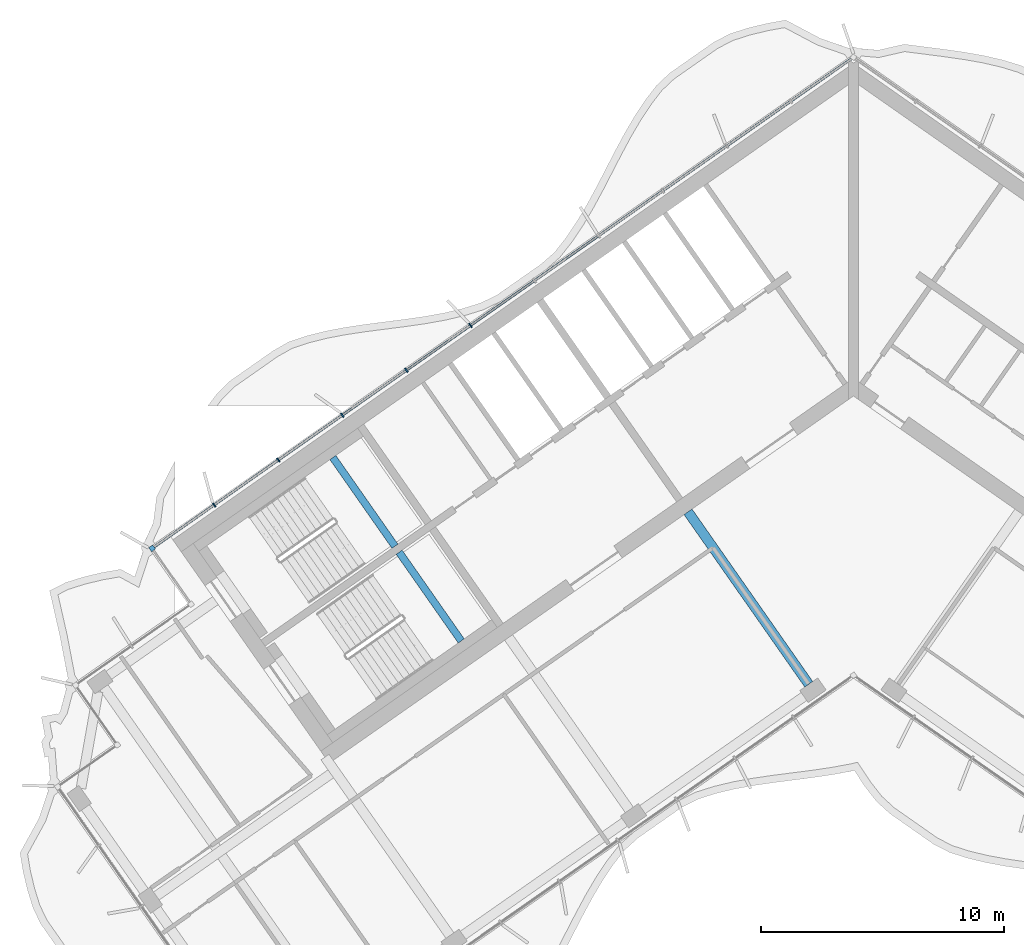
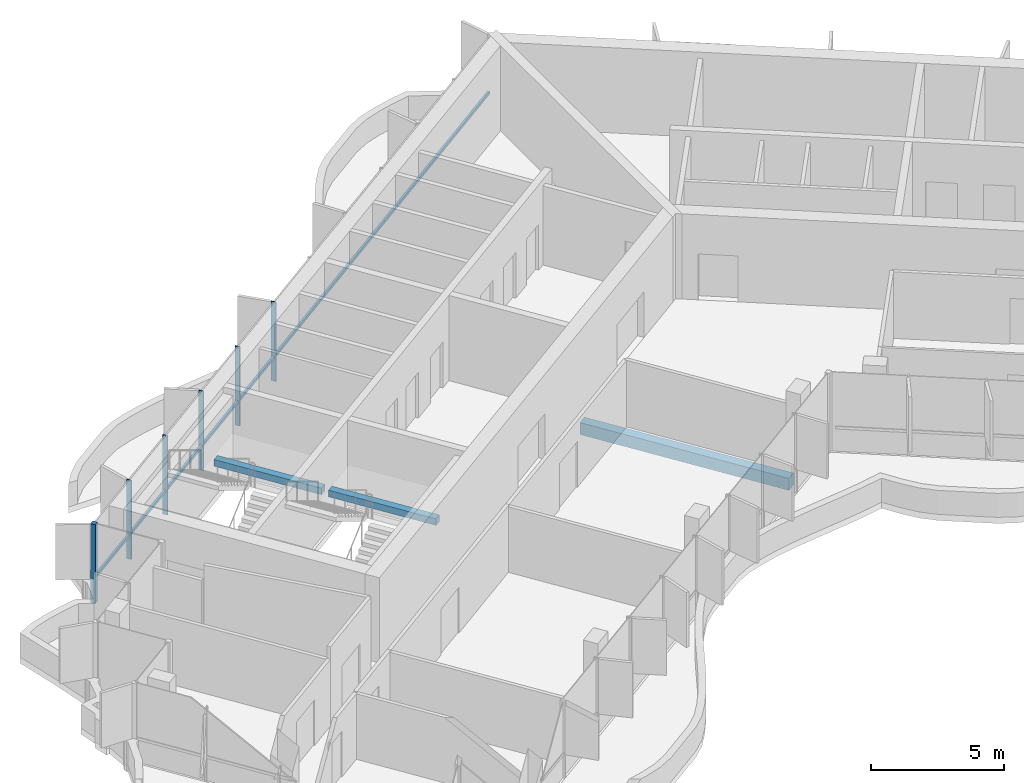
# One storey, part 3 of 18: 7 members, 3 beams, 1 element without a shape of its own.
"""IFC4 building model written with IfcOpenShell, lengths in metres."""

from ifc_helpers import new_model, si_unit, direction, frame, origin, origin_2d, place, context, subcontext, project, spatial, rectangle, extrude, material, material_profile, profile_set, type_object, element, aggregate, save


model = new_model("IFC4")

# Units and contexts
model_context = context("Model", 3, precision=1e-05, world=origin(), true_north=direction((0.0, 1.0)))
body_context = subcontext(model_context, "Body", "Model", "MODEL_VIEW")
ifc_project = project(units=[si_unit("LENGTHUNIT", "METRE"), si_unit("AREAUNIT", "SQUARE_METRE"), si_unit("VOLUMEUNIT", "CUBIC_METRE"), si_unit("PLANEANGLEUNIT", "RADIAN"), si_unit("MASSUNIT", "GRAM", prefix="KILO")], contexts=[model_context])

# Site, building, storey
site_placement = place(None, origin())
site = spatial("IfcSite", under=ifc_project, at=site_placement, CompositionType="ELEMENT")
building_placement = place(site_placement, origin())
building = spatial("IfcBuilding", under=site, at=building_placement, Name="Tel Ilan Convention Tower", CompositionType="ELEMENT")
storey_placement = place(building_placement, frame((0.0, 0.0, 268.300048828125)))
storey = spatial("IfcBuildingStorey", under=building, at=storey_placement, Name="L63", CompositionType="ELEMENT", Elevation=268.300048828125)

# Beam
ifc_material_1 = material(Name="Concrete C40/50", Category="concrete")
ifc_material_profile_1 = material_profile(ifc_material_1, rectangle(XDim=0.39990234375, YDim=0.550048828125, at=origin_2d()), Name="RC 400x550")
ifc_profile_set_1 = profile_set([ifc_material_profile_1], Name="Concrete C40/50")
beam_type_1 = type_object("IfcBeamType", Name="Beam RC 400x550 Concrete C40/50", PredefinedType="BEAM", material=ifc_profile_set_1)
beam_1_placement = place(storey_placement, frame((-1.83740234375, -13.06689453125, -0.554931640625), z_axis=(-0.573574099654, 0.819153680457, 0.0), x_axis=(-0.819153680457, -0.573574099654, 0.0)))
element("IfcBeam", 1, at=beam_1_placement, inside=storey, type_object=beam_type_1, Name="L63 beam W-W-F1-core", PredefinedType="BEAM", context=body_context, shape_type="SweptSolid", body=[
    extrude(rectangle(XDim=0.39990234375, YDim=0.550048828125, at=origin_2d()), origin(), (0.0, 0.0, 1.0), 8.64990234375),
])

# Curtain wall, members
ifc_material_2 = material(Name="Aluminium, bronze anodised", Category="aluminium")
curtain_wall_type = type_object("IfcCurtainWallType", Name="CW2 STICK CURTAIN WALL, SPANDREL PANELS", PredefinedType="NOTDEFINED", material=ifc_material_2)
curtain_wall_placement = place(storey_placement, origin())
curtain_wall = element("IfcCurtainWall", 2, at=curtain_wall_placement, inside=storey, type_object=curtain_wall_type, Name="Curtain wall CW2-48.01", PredefinedType="NOTDEFINED")
ifc_material_3 = material(Name="Aluminium, bronze anodised", Category="aluminium")
ifc_material_profile_2 = material_profile(ifc_material_3, rectangle(XDim=0.199951171875, YDim=0.199951171875, at=origin_2d()), Name="CW CORNER MULLION 200x200")
ifc_profile_set_2 = profile_set([ifc_material_profile_2], Name="Aluminium, bronze anodised")
member_type_1 = type_object("IfcMemberType", Name="CW CORNER MULLION 200x200", PredefinedType="MULLION", material=ifc_profile_set_2)
member_1_placement = place(storey_placement, frame((-28.819580078125, -7.483642578125, 0.0), z_axis=(0.0, 0.0, 1.0), x_axis=(-0.819152044289, -0.573576436351, 0.0)))
member_1 = element("IfcMember", 3, at=member_1_placement, type_object=member_type_1, Name="Corner mullion", PredefinedType="MULLION", context=body_context, shape_type="SweptSolid", body=[
    extrude(rectangle(XDim=0.199951171875, YDim=0.199951171875, at=origin_2d()), origin(), (0.0, 0.0, 1.0), 3.619873046875),
])
ifc_material_4 = material(Name="Aluminium, bronze anodised", Category="aluminium")
ifc_material_profile_3 = material_profile(ifc_material_4, rectangle(XDim=0.06005859375, YDim=0.199951171875, at=origin_2d()), Name="CW MULLION 60x200")
ifc_profile_set_3 = profile_set([ifc_material_profile_3], Name="Aluminium, bronze anodised")
member_type_2 = type_object("IfcMemberType", Name="CW MULLION 60x200", PredefinedType="MULLION", material=ifc_profile_set_3)
member_2_placement = place(storey_placement, frame((-15.73828125, 1.676025390625, 0.0), z_axis=(0.0, 0.0, 1.0), x_axis=(-0.819152044289, -0.573576436351, 0.0)))
member_2 = element("IfcMember", 4, at=member_2_placement, type_object=member_type_2, Name="Mullion", PredefinedType="MULLION", context=body_context, shape_type="SweptSolid", body=[
    extrude(rectangle(XDim=0.06005859375, YDim=0.199951171875, at=origin_2d()), origin(), (0.0, 0.0, 1.0), 3.619873046875),
])
member_3_placement = place(storey_placement, frame((-18.37109375, -0.16748046875, 0.0), z_axis=(0.0, 0.0, 1.0), x_axis=(-0.819152044289, -0.573576436351, 0.0)))
member_3 = element("IfcMember", 5, at=member_3_placement, type_object=member_type_2, Name="Mullion", PredefinedType="MULLION", context=body_context, shape_type="SweptSolid", body=[
    extrude(rectangle(XDim=0.06005859375, YDim=0.199951171875, at=origin_2d()), origin(), (0.0, 0.0, 1.0), 3.619873046875),
])
member_4_placement = place(storey_placement, frame((-21.003662109375, -2.0107421875, 0.0), z_axis=(0.0, 0.0, 1.0), x_axis=(-0.819152044289, -0.573576436351, 0.0)))
member_4 = element("IfcMember", 6, at=member_4_placement, type_object=member_type_2, Name="Mullion", PredefinedType="MULLION", context=body_context, shape_type="SweptSolid", body=[
    extrude(rectangle(XDim=0.06005859375, YDim=0.199951171875, at=origin_2d()), origin(), (0.0, 0.0, 1.0), 3.619873046875),
])
member_5_placement = place(storey_placement, frame((-23.63623046875, -3.854248046875, 0.0), z_axis=(0.0, 0.0, 1.0), x_axis=(-0.819152044289, -0.573576436351, 0.0)))
member_5 = element("IfcMember", 7, at=member_5_placement, type_object=member_type_2, Name="Mullion", PredefinedType="MULLION", context=body_context, shape_type="SweptSolid", body=[
    extrude(rectangle(XDim=0.06005859375, YDim=0.199951171875, at=origin_2d()), origin(), (0.0, 0.0, 1.0), 3.619873046875),
])
member_6_placement = place(storey_placement, frame((-26.268798828125, -5.697509765625, 0.0), z_axis=(0.0, 0.0, 1.0), x_axis=(-0.819152044289, -0.573576436351, 0.0)))
member_6 = element("IfcMember", 8, at=member_6_placement, type_object=member_type_2, Name="Mullion", PredefinedType="MULLION", context=body_context, shape_type="SweptSolid", body=[
    extrude(rectangle(XDim=0.06005859375, YDim=0.199951171875, at=origin_2d()), origin(), (0.0, 0.0, 1.0), 3.619873046875),
])
ifc_material_5 = material(Name="Aluminium, bronze anodised", Category="aluminium")
ifc_material_profile_4 = material_profile(ifc_material_5, rectangle(XDim=0.10009765625, YDim=0.1201171875, at=origin_2d()), Name="CW TRANSOM 100x120")
ifc_profile_set_4 = profile_set([ifc_material_profile_4], Name="Aluminium, bronze anodised")
member_type_3 = type_object("IfcMemberType", Name="CW TRANSOM 100x120", PredefinedType="USERDEFINED", material=ifc_profile_set_4)
member_7_placement = place(storey_placement, frame((-0.1064453125, 12.62158203125, 1.099853515625), z_axis=(-0.819150201937, -0.573579067494, 0.0), x_axis=(0.573579067494, -0.819150201937, 0.0)))
member_7 = element("IfcMember", 9, at=member_7_placement, type_object=member_type_3, Name="Transom", ObjectType="TRANSOM", PredefinedType="USERDEFINED", context=body_context, shape_type="SweptSolid", body=[
    extrude(rectangle(XDim=0.10009765625, YDim=0.1201171875, at=origin_2d()), origin(), (0.0, 0.0, 1.0), 34.9521484375),
])
aggregate(curtain_wall, [member_2, member_3, member_4, member_5, member_6, member_1, member_7])

# Beams
ifc_material_6 = material(Name="Concrete C40/50", Category="concrete")
ifc_material_profile_5 = material_profile(ifc_material_6, rectangle(XDim=0.300048828125, YDim=0.300048828125, at=origin_2d()), Name="RC 300x300")
ifc_profile_set_5 = profile_set([ifc_material_profile_5], Name="Concrete C40/50")
beam_type_2 = type_object("IfcBeamType", Name="Landing Beam RC 300x300 Concrete C40/50", PredefinedType="BEAM", material=ifc_profile_set_5)
beam_2_placement = place(storey_placement, frame((-18.841796875, -7.394287109375, 1.599853515625), z_axis=(-0.573547030514, 0.819172633691, 0.0), x_axis=(-0.819172633691, -0.573547030514, 0.0)))
element("IfcBeam", 10, at=beam_2_placement, inside=storey, type_object=beam_type_2, Name="S1 landing beam L63.1", PredefinedType="BEAM", context=body_context, shape_type="SweptSolid", body=[
    extrude(rectangle(XDim=0.300048828125, YDim=0.300048828125, at=origin_2d()), origin(), (0.0, 0.0, 1.0), 4.449951171875),
])
beam_3_placement = place(storey_placement, frame((-16.1171875, -11.285400390625, 1.599853515625), z_axis=(-0.573583844845, 0.819146856756, 0.0), x_axis=(-0.819146856756, -0.573583844845, 0.0)))
element("IfcBeam", 11, at=beam_3_placement, inside=storey, type_object=beam_type_2, Name="S2 landing beam L63.1", PredefinedType="BEAM", context=body_context, shape_type="SweptSolid", body=[
    extrude(rectangle(XDim=0.300048828125, YDim=0.300048828125, at=origin_2d()), origin(), (0.0, 0.0, 1.0), 4.4501953125),
])

save(model, "model.ifc")
